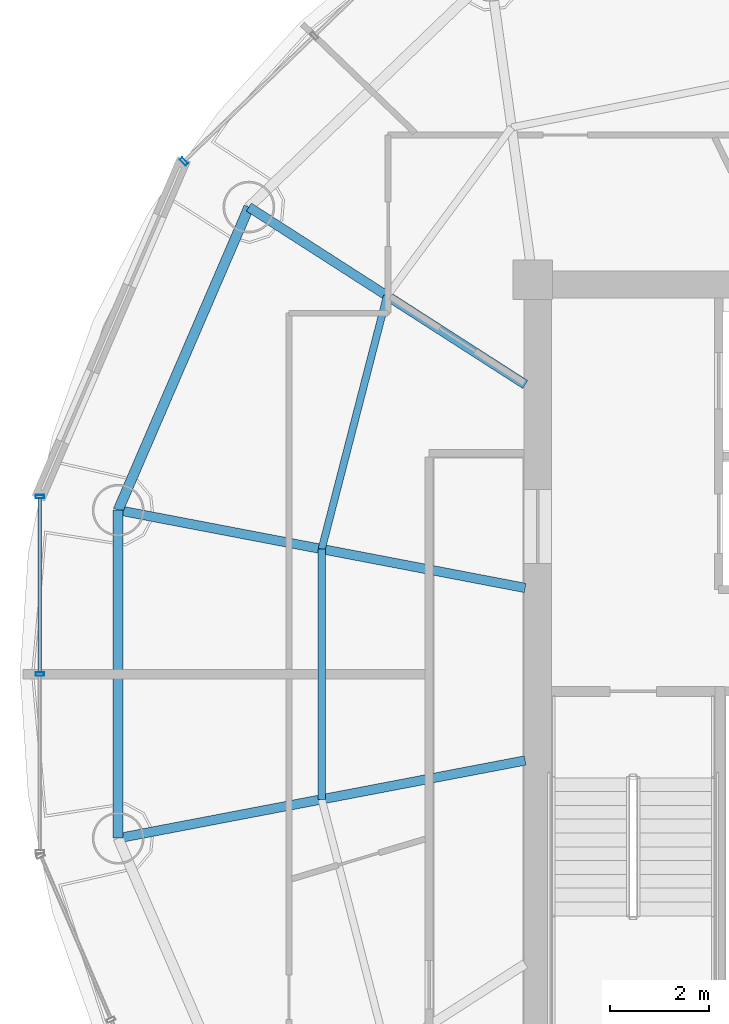
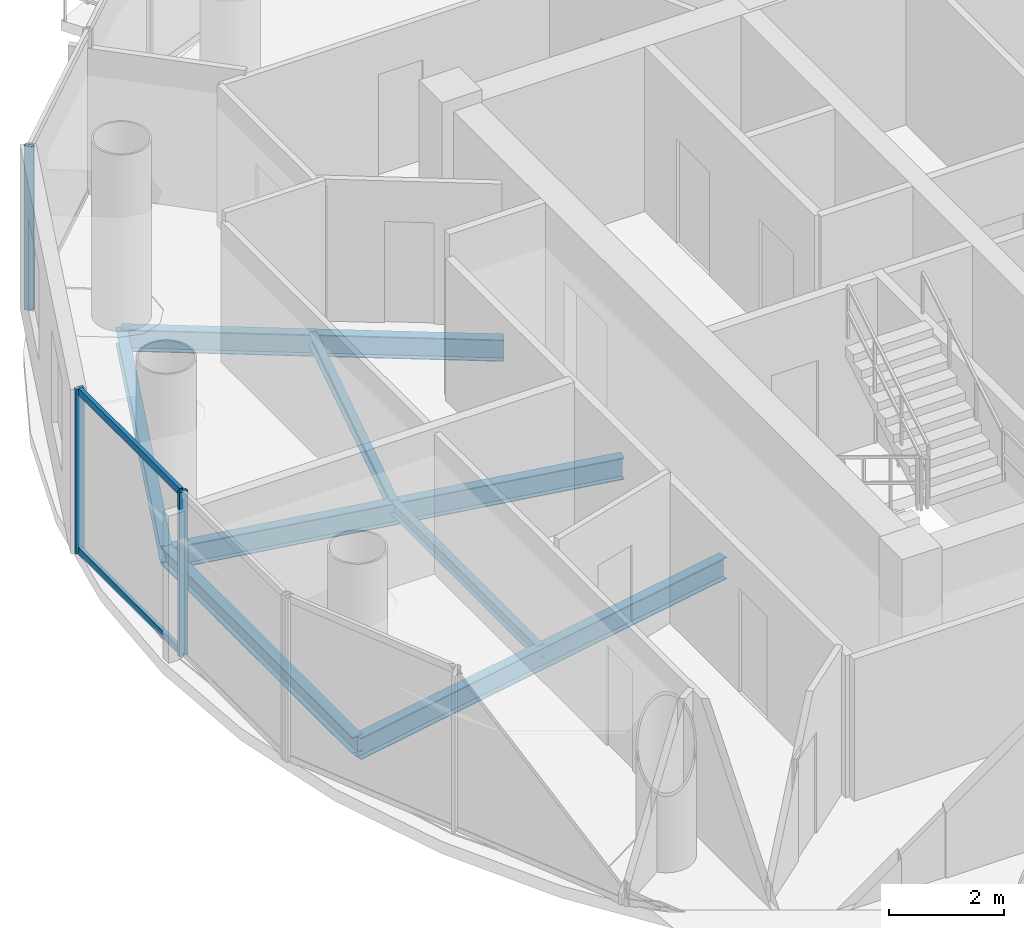
# One storey, part 8 of 24: 7 beams, 5 members, 2 elements without a shape of their own.
"""IFC4 building model written with IfcOpenShell, lengths in metres."""

import ifcopenshell
import ifcopenshell.guid

model = None  # the IFC model being written
_history = None  # IfcOwnerHistory: only IFC2X3 demands one
_inside = {}  # id of a spatial element -> (the spatial element, [elements in it])
_under = {}  # id of a project, library or spatial element -> (it, [spatial elements below it])
_declared = {}  # id of a project -> (the project, [libraries it declares])
_typed = {}  # id of a type object -> (the type object, [elements of that type])
_made_of = {}  # id of a material, layer set ... -> (it, [elements and type objects made of it])


def new_model(schema):
    """Start an empty IFC model of exactly this schema.

    Asked for "IFC4X3", IfcOpenShell would pick the latest addendum, in which some entities
    have other attributes; the version numbers below select the first issue.
    IFC2X3 requires an IfcOwnerHistory on every rooted entity: one is made here for all.
    """
    global model, _history
    if schema == "IFC4X3":
        model = ifcopenshell.file(schema_version=(4, 3, 0, 0))
    else:
        model = ifcopenshell.file(schema=schema)
    _inside.clear()
    _under.clear()
    _declared.clear()
    _typed.clear()
    _made_of.clear()
    _history = None
    if model.schema == "IFC2X3":
        org = make("IfcOrganization", Name="unknown")
        user = make(
            "IfcPersonAndOrganization",
            ThePerson=make("IfcPerson", FamilyName="unknown"),
            TheOrganization=org,
        )
        app = make(
            "IfcApplication",
            ApplicationDeveloper=org,
            Version="unknown",
            ApplicationFullName="unknown",
            ApplicationIdentifier="unknown",
        )
        _history = make(
            "IfcOwnerHistory",
            OwningUser=user,
            OwningApplication=app,
            ChangeAction="ADDED",
            CreationDate=0,
        )
    return model


def make(cls, **values):
    """One entity of the class cls with the attributes given. An attribute that is None is left unset."""
    return model.create_entity(
        cls, **{name: value for name, value in values.items() if value is not None}
    )


def rooted(cls, **values):
    """An entity with a GlobalId (a new one), such as an element, a storey or a relation."""
    return make(cls, GlobalId=ifcopenshell.guid.new(), OwnerHistory=_history, **values)


def si_unit(unit_type, name, prefix=None):
    """IfcSIUnit, for example si_unit("LENGTHUNIT", "METRE", prefix="MILLI")."""
    return make("IfcSIUnit", UnitType=unit_type, Prefix=prefix, Name=name)


def assignment(units):
    """IfcUnitAssignment: the units of a project."""
    return None if units is None else make("IfcUnitAssignment", Units=units)


def point(xyz):
    """IfcCartesianPoint."""
    return None if xyz is None else make("IfcCartesianPoint", Coordinates=xyz)


def direction(xyz):
    """IfcDirection."""
    return None if xyz is None else make("IfcDirection", DirectionRatios=xyz)


def frame(location, z_axis=None, x_axis=None):
    """IfcAxis2Placement3D, a coordinate frame: its origin and axes. An axis left out is left unset."""
    return make(
        "IfcAxis2Placement3D",
        Location=point(location),
        Axis=direction(z_axis),
        RefDirection=direction(x_axis),
    )


def frame_2d(location, x_axis=None):
    """IfcAxis2Placement2D, a coordinate frame in the plane: its origin and x axis."""
    return make(
        "IfcAxis2Placement2D", Location=point(location), RefDirection=direction(x_axis)
    )


def origin():
    """The frame at (0, 0, 0) with its axes left unset."""
    return frame((0.0, 0.0, 0.0))


def origin_2d():
    """The frame at (0, 0) in the plane with its x axis left unset."""
    return frame_2d((0.0, 0.0))


def place(relative_to, where):
    """IfcLocalPlacement: puts the frame where relative to a parent placement (None: the world)."""
    return make(
        "IfcLocalPlacement", PlacementRelTo=relative_to, RelativePlacement=where
    )


def context(
    kind, dimensions, precision=None, world=None, true_north=None, identifier=None
):
    """IfcGeometricRepresentationContext, for example the 3D "Model" context."""
    return make(
        "IfcGeometricRepresentationContext",
        ContextIdentifier=identifier,
        ContextType=kind,
        CoordinateSpaceDimension=dimensions,
        Precision=precision,
        WorldCoordinateSystem=world,
        TrueNorth=true_north,
    )


def subcontext(parent, identifier, kind, view, scale=None):
    """IfcGeometricRepresentationSubContext, for example "Body" below "Model"."""
    return make(
        "IfcGeometricRepresentationSubContext",
        ContextIdentifier=identifier,
        ContextType=kind,
        ParentContext=parent,
        TargetScale=scale,
        TargetView=view,
    )


def project(units=None, contexts=None):
    """IfcProject with its units and contexts."""
    return rooted(
        "IfcProject",
        Name="project",
        RepresentationContexts=contexts,
        UnitsInContext=assignment(units),
    )


def spatial(cls, under=None, at=None, **own):
    """A site, building, storey or space (cls), placed at a placement, below another one or the project."""
    s = rooted(cls, ObjectPlacement=at, **own)
    if under is not None:
        _under.setdefault(under.id(), (under, []))[1].append(s)
    return s


def profile(cls, at=None, kind="AREA", **sizes):
    """A parametric profile (cls). Its sizes go by their IFC names, for example OverallWidth=200.0."""
    return make(cls, ProfileType=kind, Position=at, **sizes)


def hollow_rectangle(**sizes):
    """IfcRectangleHollowProfileDef."""
    return profile("IfcRectangleHollowProfileDef", **sizes)


def i_section(**sizes):
    """IfcIShapeProfileDef."""
    return profile("IfcIShapeProfileDef", **sizes)


def extrude(swept, where, along, depth):
    """IfcExtrudedAreaSolid: the profile swept, set in the frame where, extruded along a direction by depth."""
    return make(
        "IfcExtrudedAreaSolid",
        SweptArea=swept,
        Position=where,
        ExtrudedDirection=direction(along),
        Depth=depth,
    )


def shape(context_of_items, identifier, shape_type, items):
    """IfcShapeRepresentation: the items that make up one representation, for example the "Body"."""
    return make(
        "IfcShapeRepresentation",
        ContextOfItems=context_of_items,
        RepresentationIdentifier=identifier,
        RepresentationType=shape_type,
        Items=items,
    )


def source(mapping_origin, context_of_items, identifier, shape_type, items):
    """IfcRepresentationMap: a shape defined once, which mapped items show again and again."""
    return make(
        "IfcRepresentationMap",
        MappingOrigin=mapping_origin,
        MappedRepresentation=shape(context_of_items, identifier, shape_type, items),
    )


def transform(
    local_origin,
    x_axis=None,
    y_axis=None,
    z_axis=None,
    scale=None,
    scale2=None,
    scale3=None,
    uniform=True,
):
    """IfcCartesianTransformationOperator3D, or its non-uniform kind. x_axis, y_axis, z_axis: its Axis1, 2, 3."""
    if uniform:
        return make(
            "IfcCartesianTransformationOperator3D",
            Axis1=direction(x_axis),
            Axis2=direction(y_axis),
            LocalOrigin=point(local_origin),
            Scale=scale,
            Axis3=direction(z_axis),
        )
    return make(
        "IfcCartesianTransformationOperator3DnonUniform",
        Axis1=direction(x_axis),
        Axis2=direction(y_axis),
        LocalOrigin=point(local_origin),
        Scale=scale,
        Axis3=direction(z_axis),
        Scale2=scale2,
        Scale3=scale3,
    )


def mapped(mapping_source, mapping_target):
    """IfcMappedItem: shows the shape of a source again, moved by a transform."""
    return make(
        "IfcMappedItem", MappingSource=mapping_source, MappingTarget=mapping_target
    )


def material(Name=None, Category=None):
    """IfcMaterial."""
    return make("IfcMaterial", Name=Name, Category=Category)


def material_profile(
    of_material, cross_section, Name=None, Category=None, Priority=None
):
    """IfcMaterialProfile: a cross section and its material."""
    return make(
        "IfcMaterialProfile",
        Name=Name,
        Material=of_material,
        Profile=cross_section,
        Priority=Priority,
        Category=Category,
    )


def profile_set(profiles, Name=None, composite=None):
    """IfcMaterialProfileSet."""
    return make(
        "IfcMaterialProfileSet",
        Name=Name,
        MaterialProfiles=profiles,
        CompositeProfile=composite,
    )


def made_of(thing, what):
    """Note that an element or type object is made of a material, layer set ...; save() writes the relation."""
    if what is not None:
        _made_of.setdefault(what.id(), (what, []))[1].append(thing)
    return thing


def type_object(cls, material=None, **own):
    """A type object (cls), such as IfcWallType, which elements share."""
    return made_of(rooted(cls, **own), material)


def element(
    cls,
    number,
    at=None,
    inside=None,
    cuts=None,
    type_object=None,
    material=None,
    context=None,
    identifier="Body",
    shape_type=None,
    held_by="IfcProductDefinitionShape",
    body=None,
    shapes=None,
    **own,
):
    """One element of the class cls, such as IfcWall. Its Tag is "e" and its number.

    at: its placement. inside: the storey or other place that contains it. cuts: it is an
    opening in that element (IfcRelVoidsElement). A single representation is given by context,
    identifier, shape_type and body (its items); several are given by shapes. held_by: the class
    of the entity that holds the representations. save() writes the other relations.
    """
    e = rooted(cls, Tag="e%d" % number, ObjectPlacement=at, **own)
    if body is not None:
        shapes = [shape(context, identifier, shape_type, body)]
    if shapes is not None:
        e.Representation = make(held_by, Representations=shapes)
    if inside is not None:
        _inside.setdefault(inside.id(), (inside, []))[1].append(e)
    if cuts is not None:
        rooted(
            "IfcRelVoidsElement", RelatingBuildingElement=cuts, RelatedOpeningElement=e
        )
    if type_object is not None:
        _typed.setdefault(type_object.id(), (type_object, []))[1].append(e)
    return made_of(e, material)


def aggregate(whole, parts):
    """IfcRelAggregates: a whole, such as a stair, and the parts it consists of."""
    return rooted("IfcRelAggregates", RelatingObject=whole, RelatedObjects=parts)


def save(model, path):
    """Write the relations noted so far, then the file.

    IfcRelAggregates (storeys below a building ...), IfcRelContainedInSpatialStructure (elements
    in a storey), IfcRelDefinesByType, IfcRelAssociatesMaterial and IfcRelDeclares: one each for
    every whole, place, type object, material and project.
    """
    for whole, parts in _under.values():
        aggregate(whole, parts)
    for where, things in _inside.values():
        rooted(
            "IfcRelContainedInSpatialStructure",
            RelatedElements=things,
            RelatingStructure=where,
        )
    for kind, things in _typed.values():
        rooted("IfcRelDefinesByType", RelatedObjects=things, RelatingType=kind)
    for what, things in _made_of.values():
        rooted("IfcRelAssociatesMaterial", RelatedObjects=things, RelatingMaterial=what)
    for by, libraries in _declared.values():
        rooted("IfcRelDeclares", RelatingContext=by, RelatedDefinitions=libraries)
    model.write(path)


model = new_model("IFC4")

# Units and contexts
model_context = context("Model", 3, precision=1e-05, world=origin(), true_north=direction((-0.2419218956, 0.970295726276)))
body_context = subcontext(model_context, "Body", "Model", "MODEL_VIEW")
ifc_project = project(units=[si_unit("LENGTHUNIT", "METRE"), si_unit("AREAUNIT", "SQUARE_METRE"), si_unit("VOLUMEUNIT", "CUBIC_METRE"), si_unit("PLANEANGLEUNIT", "RADIAN"), si_unit("MASSUNIT", "GRAM", prefix="KILO")], contexts=[model_context])

# Site, building, storey
site_placement = place(None, origin())
site = spatial("IfcSite", under=ifc_project, at=site_placement, CompositionType="ELEMENT")
building_placement = place(site_placement, origin())
building = spatial("IfcBuilding", under=site, at=building_placement, Name="Cobrevalo Terracotta Tower", CompositionType="ELEMENT")
storey_placement = place(building_placement, frame((0.0, 0.0, 270.699951171875)))
storey = spatial("IfcBuildingStorey", under=building, at=storey_placement, Name="L71", CompositionType="ELEMENT", Elevation=270.699951171875)

# Beams
ifc_material_1 = material(Name="Steel S355", Category="steel")
ifc_material_profile_1 = material_profile(ifc_material_1, i_section(OverallWidth=0.19091796875, OverallDepth=0.4599609375, WebThickness=0.010009765625, FlangeThickness=0.01611328125, at=origin_2d()), Name="W 460x82")
ifc_profile_set_1 = profile_set([ifc_material_profile_1], Name="Steel S355")
beam_type_1 = type_object("IfcBeamType", Name="Structural Beam W 460x82 (Steel S355)", PredefinedType="BEAM", material=ifc_profile_set_1)
beam_1_placement = place(storey_placement, frame((23.241455078125, 36.2724609375, -0.489990234375), z_axis=(0.84157615512, -0.540138477739, 0.0), x_axis=(0.540138477739, 0.84157615512, 0.0)))
element("IfcBeam", 1, at=beam_1_placement, inside=storey, type_object=beam_type_1, Name="L71 radial floor girder 07", PredefinedType="BEAM", context=body_context, shape_type="SweptSolid", body=[
    extrude(i_section(OverallWidth=0.19091796875, OverallDepth=0.4599609375, WebThickness=0.010009765625, FlangeThickness=0.01611328125, at=origin_2d()), origin(), (0.0, 0.0, 1.0), 6.658447265625),
])
beam_2_placement = place(storey_placement, frame((20.591064453125, 30.126220703125, -0.489990234375), z_axis=(0.982234917636, -0.187655446433, 0.0), x_axis=(0.187655446433, 0.982234917636, 0.0)))
element("IfcBeam", 2, at=beam_2_placement, inside=storey, type_object=beam_type_1, Name="L71 radial floor girder 08", PredefinedType="BEAM", context=body_context, shape_type="SweptSolid", body=[
    extrude(i_section(OverallWidth=0.19091796875, OverallDepth=0.4599609375, WebThickness=0.010009765625, FlangeThickness=0.01611328125, at=origin_2d()), origin(), (0.0, 0.0, 1.0), 8.403076171875),
])
beam_3_placement = place(storey_placement, frame((20.591064453125, 23.4736328125, -0.489990234375), z_axis=(0.982229562106, 0.187683476432, 0.0), x_axis=(-0.187683476432, 0.982229562106, 0.0)))
element("IfcBeam", 3, at=beam_3_placement, inside=storey, type_object=beam_type_1, Name="L71 radial floor girder 09", PredefinedType="BEAM", context=body_context, shape_type="SweptSolid", body=[
    extrude(i_section(OverallWidth=0.19091796875, OverallDepth=0.4599609375, WebThickness=0.010009765625, FlangeThickness=0.01611328125, at=origin_2d()), origin(), (0.0, 0.0, 1.0), 8.4033203125),
])
ifc_material_profile_2 = material_profile(ifc_material_1, i_section(OverallWidth=0.14794921875, OverallDepth=0.26611328125, WebThickness=0.007568359375, FlangeThickness=0.012939453125, at=origin_2d()), Name="W 250x44.8")
ifc_profile_set_2 = profile_set([ifc_material_profile_2], Name="Steel S355")
beam_type_2 = type_object("IfcBeamType", Name="Structural Joist W 250x44.8 (Steel S355)", PredefinedType="JOIST", material=ifc_profile_set_2)
beam_4_placement = place(storey_placement, frame((26.043212890625, 34.47412109375, -0.39306640625), z_axis=(-0.249816773293, -0.968293126993, 0.0), x_axis=(0.968293126993, -0.249816773293, 0.0)))
element("IfcBeam", 4, at=beam_4_placement, inside=storey, type_object=beam_type_2, Name="L71 circumferential secondary floor joist 07", PredefinedType="JOIST", context=body_context, shape_type="SweptSolid", body=[
    extrude(i_section(OverallWidth=0.14794921875, OverallDepth=0.26611328125, WebThickness=0.007568359375, FlangeThickness=0.012939453125, at=origin_2d()), origin(), (0.0, 0.0, 1.0), 5.3046875),
])
beam_5_placement = place(storey_placement, frame((24.718017578125, 29.337646484375, -0.39306640625), z_axis=(0.0, -1.0, 0.0), x_axis=(1.0, 0.0, 0.0)))
element("IfcBeam", 5, at=beam_5_placement, inside=storey, type_object=beam_type_2, Name="L71 circumferential secondary floor joist 08", PredefinedType="JOIST", context=body_context, shape_type="SweptSolid", body=[
    extrude(i_section(OverallWidth=0.14794921875, OverallDepth=0.26611328125, WebThickness=0.007568359375, FlangeThickness=0.012939453125, at=origin_2d()), origin(), (0.0, 0.0, 1.0), 5.075439453125),
])
ifc_material_profile_3 = material_profile(ifc_material_1, i_section(OverallWidth=0.205078125, OverallDepth=0.35400390625, WebThickness=0.009521484375, FlangeThickness=0.016845703125, at=origin_2d()), Name="W 360x79")
ifc_profile_set_3 = profile_set([ifc_material_profile_3], Name="Steel S355")
beam_type_3 = type_object("IfcBeamType", Name="Structural Spandrel W 360x79 (Steel S355)", PredefinedType="SPANDREL", material=ifc_profile_set_3)
beam_6_placement = place(storey_placement, frame((23.241455078125, 36.2724609375, -0.43701171875), z_axis=(-0.395974127655, -0.918261667624, 0.0), x_axis=(0.918261667624, -0.395974127655, 0.0)))
element("IfcBeam", 6, at=beam_6_placement, inside=storey, type_object=beam_type_3, Name="L71 perimeter ring spandrel 07", PredefinedType="SPANDREL", context=body_context, shape_type="SweptSolid", body=[
    extrude(i_section(OverallWidth=0.205078125, OverallDepth=0.35400390625, WebThickness=0.009521484375, FlangeThickness=0.016845703125, at=origin_2d()), origin(), (0.0, 0.0, 1.0), 6.693359375),
])
beam_7_placement = place(storey_placement, frame((20.591064453125, 30.126220703125, -0.43701171875), z_axis=(0.0, -1.0, 0.0), x_axis=(1.0, 0.0, 0.0)))
element("IfcBeam", 7, at=beam_7_placement, inside=storey, type_object=beam_type_3, Name="L71 perimeter ring spandrel 08", PredefinedType="SPANDREL", context=body_context, shape_type="SweptSolid", body=[
    extrude(i_section(OverallWidth=0.205078125, OverallDepth=0.35400390625, WebThickness=0.009521484375, FlangeThickness=0.016845703125, at=origin_2d()), origin(), (0.0, 0.0, 1.0), 6.652587890625),
])

# Curtain wall, member
ifc_material_2 = material(Name="Anodized aluminium", Category="aluminium")
curtain_wall_type = type_object("IfcCurtainWallType", Name="Upper-tower triple-glazed penthouse curtain wall CW-U3", PredefinedType="NOTDEFINED", material=ifc_material_2)
curtain_wall_1_placement = place(storey_placement, origin())
curtain_wall_1 = element("IfcCurtainWall", 8, at=curtain_wall_1_placement, inside=storey, type_object=curtain_wall_type, Name="L71 curtain wall CW-L71-S06", PredefinedType="NOTDEFINED")
ifc_material_profile_4 = material_profile(ifc_material_2, hollow_rectangle(XDim=0.070068359375, YDim=0.169921875, WallThickness=0.00439453125, at=origin_2d()), Name="CWM 70x170")
ifc_profile_set_4 = profile_set([ifc_material_profile_4], Name="Anodized aluminium")
member_type_1 = type_object("IfcMemberType", Name="Upper tower unitised mullion 70x170", PredefinedType="MULLION", material=ifc_profile_set_4)
shared_shape_1 = source(origin(), body_context, "Body", "SweptSolid", [
    extrude(hollow_rectangle(XDim=0.070068359375, YDim=0.169921875, WallThickness=0.00439453125, at=origin_2d()), origin(), (0.0, 0.0, 1.0), 3.489990234375),
])
member_1_placement = place(storey_placement, frame((21.92333984375, 37.2001953125, 0.0), z_axis=(0.0, 0.0, 1.0), x_axis=(-0.71999418085, -0.69398010025, 0.0)))
member_1 = element("IfcMember", 9, at=member_1_placement, type_object=member_type_1, Name="CW-L71-S06 vertical mullion 03", PredefinedType="MULLION", context=body_context, shape_type="MappedRepresentation", body=[
    mapped(shared_shape_1, transform((0.0, 0.0, 0.0), scale=1.0)),
])
aggregate(curtain_wall_1, [member_1])

# Curtain wall, members
curtain_wall_2_placement = place(storey_placement, origin())
curtain_wall_2 = element("IfcCurtainWall", 10, at=curtain_wall_2_placement, inside=storey, type_object=curtain_wall_type, Name="L71 curtain wall CW-L71-S08", PredefinedType="NOTDEFINED")
member_2_placement = place(storey_placement, frame((19.002197265625, 30.40234375, 0.0), z_axis=(0.0, 0.0, 1.0), x_axis=(0.0, -1.0, 0.0)))
member_2 = element("IfcMember", 11, at=member_2_placement, type_object=member_type_1, Name="CW-L71-S08 vertical mullion 01", PredefinedType="MULLION", context=body_context, shape_type="MappedRepresentation", body=[
    mapped(shared_shape_1, transform((0.0, 0.0, 0.0), scale=1.0)),
])
member_3_placement = place(storey_placement, frame((19.002197265625, 26.800048828125, 0.0), z_axis=(0.0, 0.0, 1.0), x_axis=(0.0, -1.0, 0.0)))
member_3 = element("IfcMember", 12, at=member_3_placement, type_object=member_type_1, Name="CW-L71-S08 vertical mullion 02", PredefinedType="MULLION", context=body_context, shape_type="MappedRepresentation", body=[
    mapped(shared_shape_1, transform((0.0, 0.0, 0.0), scale=1.0)),
])
ifc_material_profile_5 = material_profile(ifc_material_2, hollow_rectangle(XDim=0.074951171875, YDim=0.14990234375, WallThickness=0.00439453125, at=origin_2d()), Name="CWT 75x150")
ifc_profile_set_5 = profile_set([ifc_material_profile_5], Name="Anodized aluminium")
member_type_2 = type_object("IfcMemberType", Name="Tower unitised aluminium transom 75x150", PredefinedType="USERDEFINED", material=ifc_profile_set_5)
shared_shape_2 = source(origin(), body_context, "Body", "SweptSolid", [
    extrude(hollow_rectangle(XDim=0.074951171875, YDim=0.14990234375, WallThickness=0.00439453125, at=origin_2d()), origin(), (0.0, 0.0, 1.0), 3.522216796875),
])
member_4_placement = place(storey_placement, frame((19.002197265625, 30.3623046875, 0.050048828125), z_axis=(0.0, -1.0, 0.0), x_axis=(1.0, 0.0, 0.0)))
member_4 = element("IfcMember", 13, at=member_4_placement, type_object=member_type_2, Name="CW-L71-S08 transom B01-T1", ObjectType="TRANSOM", PredefinedType="USERDEFINED", context=body_context, shape_type="MappedRepresentation", body=[
    mapped(shared_shape_2, transform((0.0, 0.0, 0.0), scale=1.0)),
])
member_5_placement = place(storey_placement, frame((19.002197265625, 30.3623046875, 3.43994140625), z_axis=(0.0, -1.0, 0.0), x_axis=(1.0, 0.0, 0.0)))
member_5 = element("IfcMember", 14, at=member_5_placement, type_object=member_type_2, Name="CW-L71-S08 transom B01-T2", ObjectType="TRANSOM", PredefinedType="USERDEFINED", context=body_context, shape_type="MappedRepresentation", body=[
    mapped(shared_shape_2, transform((0.0, 0.0, 0.0), scale=1.0)),
])
aggregate(curtain_wall_2, [member_2, member_3, member_4, member_5])

save(model, "model.ifc")
